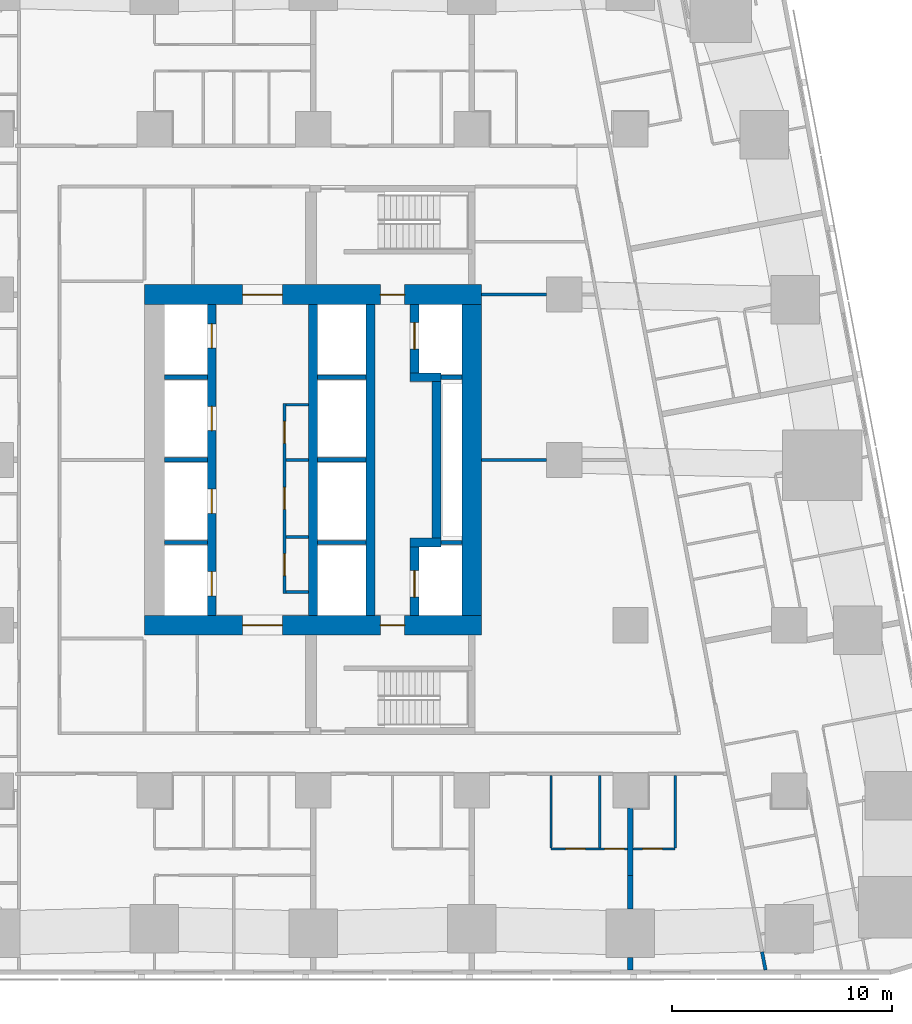
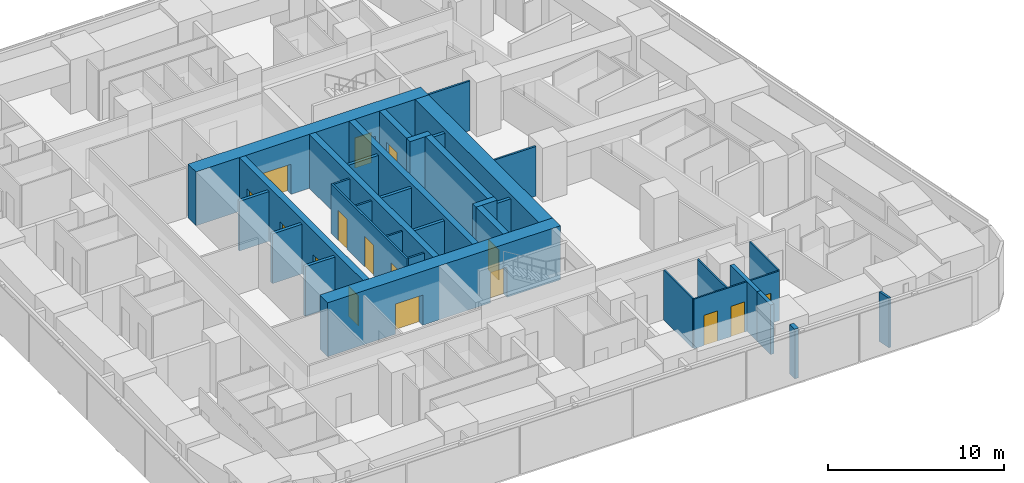
# One storey, part 5 of 14: 35 walls, 16 doors, 16 openings.
"""IFC4 building model written with IfcOpenShell, lengths in metres."""

from ifc_helpers import new_model, si_unit, direction, frame, frame_2d, origin, place, context, subcontext, project, spatial, rectangle, extrude, material, layer, layer_set, type_object, element, fill, save


model = new_model("IFC4")

# Units and contexts
model_context = context("Model", 3, precision=1e-05, world=origin(), true_north=direction((0.0, 1.0)))
body_context = subcontext(model_context, "Body", "Model", "MODEL_VIEW")
ifc_project = project(units=[si_unit("LENGTHUNIT", "METRE"), si_unit("AREAUNIT", "SQUARE_METRE"), si_unit("VOLUMEUNIT", "CUBIC_METRE"), si_unit("PLANEANGLEUNIT", "RADIAN"), si_unit("MASSUNIT", "GRAM", prefix="KILO")], contexts=[model_context])

# Site, building, storey
site_placement = place(None, origin())
site = spatial("IfcSite", under=ifc_project, at=site_placement, CompositionType="ELEMENT")
building_placement = place(site_placement, origin())
building = spatial("IfcBuilding", under=site, at=building_placement, Name="Sheger Commons Tower", CompositionType="ELEMENT")
storey_placement = place(building_placement, frame((0.0, 0.0, 126.64990234375)))
storey = spatial("IfcBuildingStorey", under=building, at=storey_placement, Name="L32", CompositionType="ELEMENT", Elevation=126.64990234375)

# Wall, openings, doors
ifc_material_1 = material(Name="Concrete C50/60", Category="concrete")
ifc_layer_1 = layer(ifc_material_1, 0.39990234375)
ifc_layer_set_1 = layer_set([ifc_layer_1], Name="CORE INNER WALL 400")
wall_type_1 = type_object("IfcWallType", Name="CORE INNER WALL 400", PredefinedType="SHEAR", material=ifc_layer_set_1)
wall_1_placement = place(storey_placement, frame((17.0, 15.449951171875, 0.0), z_axis=(0.0, 0.0, 1.0), x_axis=(0.0, 1.0, 0.0)))
wall_1 = element("IfcWall", 1, at=wall_1_placement, inside=storey, type_object=wall_type_1, Name="Core inner wall A L32", PredefinedType="SHEAR", context=body_context, shape_type="SweptSolid", body=[
    extrude(rectangle(XDim=14.10009765625, YDim=0.39990234375, at=frame_2d((7.050048828125, 0.0))), origin(), (0.0, 0.0, 1.0), 3.75),
])
opening_1_placement = place(wall_1_placement, frame((0.875, 0.0, 0.0)))
opening_1 = element("IfcOpeningElement", 2, at=opening_1_placement, cuts=wall_1, Name="Opening LD", PredefinedType="OPENING", context=body_context, shape_type="SweptSolid", body=[
    extrude(rectangle(XDim=1.10009765625, YDim=2.10009765625, at=frame_2d((0.550048828125, 1.050048828125))), frame((0.0, 0.2099609375, 0.0), z_axis=(0.0, -1.0, 0.0), x_axis=(1.0, 0.0, 0.0)), (0.0, 0.0, 1.0), 0.419921875),
])
opening_2_placement = place(wall_1_placement, frame((4.625, 0.0, 0.0)))
opening_2 = element("IfcOpeningElement", 3, at=opening_2_placement, cuts=wall_1, Name="Opening LD", PredefinedType="OPENING", context=body_context, shape_type="SweptSolid", body=[
    extrude(rectangle(XDim=1.10009765625, YDim=2.10009765625, at=frame_2d((0.550048828125, 1.050048828125))), frame((0.0, 0.2099609375, 0.0), z_axis=(0.0, -1.0, 0.0), x_axis=(1.0, 0.0, 0.0)), (0.0, 0.0, 1.0), 0.419921875),
])
opening_3_placement = place(wall_1_placement, frame((8.375, 0.0, 0.0)))
opening_3 = element("IfcOpeningElement", 4, at=opening_3_placement, cuts=wall_1, Name="Opening LD", PredefinedType="OPENING", context=body_context, shape_type="SweptSolid", body=[
    extrude(rectangle(XDim=1.10009765625, YDim=2.10009765625, at=frame_2d((0.550048828125, 1.050048828125))), frame((0.0, 0.2099609375, 0.0), z_axis=(0.0, -1.0, 0.0), x_axis=(1.0, 0.0, 0.0)), (0.0, 0.0, 1.0), 0.419921875),
])
opening_4_placement = place(wall_1_placement, frame((12.125, 0.0, 0.0)))
opening_4 = element("IfcOpeningElement", 5, at=opening_4_placement, cuts=wall_1, Name="Opening LD", PredefinedType="OPENING", context=body_context, shape_type="SweptSolid", body=[
    extrude(rectangle(XDim=1.10009765625, YDim=2.10009765625, at=frame_2d((0.550048828125, 1.050048828125))), frame((0.0, 0.2099609375, 0.0), z_axis=(0.0, -1.0, 0.0), x_axis=(1.0, 0.0, 0.0)), (0.0, 0.0, 1.0), 0.419921875),
])
ifc_material_2 = material(Name="Steel door set, fire rated", Category="steel")
door_type_1 = type_object("IfcDoorType", Name="LIFT LANDING DOOR 1100x2100", OperationType="DOUBLE_DOOR_SLIDING", PredefinedType="DOOR", material=ifc_material_2)
door_1_placement = place(opening_1_placement, origin())
door_1 = element("IfcDoor", 6, at=door_1_placement, inside=storey, type_object=door_type_1, Name="Lift LA1 landing door", OperationType="DOUBLE_DOOR_SLIDING", OverallHeight=2.10009765625, OverallWidth=1.10009765625, PredefinedType="DOOR", context=body_context, shape_type="SweptSolid", body=[
    extrude(rectangle(XDim=1.10009765625, YDim=2.10009765625, at=frame_2d((0.550048828125, 1.050048828125))), frame((0.0, 0.02490234375, 0.0), z_axis=(0.0, -1.0, 0.0), x_axis=(1.0, 0.0, 0.0)), (0.0, 0.0, 1.0), 0.050048828125),
])
fill(opening_1, door_1)
door_2_placement = place(opening_2_placement, origin())
door_2 = element("IfcDoor", 7, at=door_2_placement, inside=storey, type_object=door_type_1, Name="Lift LA2 landing door", OperationType="DOUBLE_DOOR_SLIDING", OverallHeight=2.10009765625, OverallWidth=1.10009765625, PredefinedType="DOOR", context=body_context, shape_type="SweptSolid", body=[
    extrude(rectangle(XDim=1.10009765625, YDim=2.10009765625, at=frame_2d((0.550048828125, 1.050048828125))), frame((0.0, 0.02490234375, 0.0), z_axis=(0.0, -1.0, 0.0), x_axis=(1.0, 0.0, 0.0)), (0.0, 0.0, 1.0), 0.050048828125),
])
fill(opening_2, door_2)
door_3_placement = place(opening_3_placement, origin())
door_3 = element("IfcDoor", 8, at=door_3_placement, inside=storey, type_object=door_type_1, Name="Lift LA3 landing door", OperationType="DOUBLE_DOOR_SLIDING", OverallHeight=2.10009765625, OverallWidth=1.10009765625, PredefinedType="DOOR", context=body_context, shape_type="SweptSolid", body=[
    extrude(rectangle(XDim=1.10009765625, YDim=2.10009765625, at=frame_2d((0.550048828125, 1.050048828125))), frame((0.0, 0.02490234375, 0.0), z_axis=(0.0, -1.0, 0.0), x_axis=(1.0, 0.0, 0.0)), (0.0, 0.0, 1.0), 0.050048828125),
])
fill(opening_3, door_3)
door_4_placement = place(opening_4_placement, origin())
door_4 = element("IfcDoor", 9, at=door_4_placement, inside=storey, type_object=door_type_1, Name="Lift LA4 landing door", OperationType="DOUBLE_DOOR_SLIDING", OverallHeight=2.10009765625, OverallWidth=1.10009765625, PredefinedType="DOOR", context=body_context, shape_type="SweptSolid", body=[
    extrude(rectangle(XDim=1.10009765625, YDim=2.10009765625, at=frame_2d((0.550048828125, 1.050048828125))), frame((0.0, 0.02490234375, 0.0), z_axis=(0.0, -1.0, 0.0), x_axis=(1.0, 0.0, 0.0)), (0.0, 0.0, 1.0), 0.050048828125),
])
fill(opening_4, door_4)

# Walls
for number, where, z_axis, x_axis, name in (
    (10, (21.60009765625, 15.449951171875, 0.0), (0.0, 0.0, 1.0), (0.0, 1.0, 0.0), "Core inner wall L L32"),
    (11, (24.199951171875, 15.449951171875, 0.0), (0.0, 0.0, 1.0), (0.0, 1.0, 0.0), "Core inner wall B L32"),
):
    element("IfcWall", number, at=place(storey_placement, frame(where, z_axis=z_axis, x_axis=x_axis)), inside=storey, type_object=wall_type_1, Name=name, PredefinedType="SHEAR", context=body_context, shape_type="SweptSolid", body=[
        extrude(rectangle(XDim=14.10009765625, YDim=0.39990234375, at=frame_2d((7.050048828125, 0.0))), origin(), (0.0, 0.0, 1.0), 3.75),
    ])

# Wall, opening, door
wall_2_placement = place(storey_placement, frame((26.199951171875, 15.449951171875, 0.0), z_axis=(0.0, 0.0, 1.0), x_axis=(0.0, 1.0, 0.0)))
wall_2 = element("IfcWall", 12, at=wall_2_placement, inside=storey, type_object=wall_type_1, Name="Core inner wall F L32", PredefinedType="SHEAR", context=body_context, shape_type="SweptSolid", body=[
    extrude(rectangle(XDim=3.10009765625, YDim=0.39990234375, at=frame_2d((1.550048828125, 0.0))), origin(), (0.0, 0.0, 1.0), 3.75),
])
opening_5_placement = place(wall_2_placement, frame((0.824951171875, 0.0, 0.0)))
opening_5 = element("IfcOpeningElement", 13, at=opening_5_placement, cuts=wall_2, Name="Opening LD2", PredefinedType="OPENING", context=body_context, shape_type="SweptSolid", body=[
    extrude(rectangle(XDim=1.199951171875, YDim=2.10009765625, at=frame_2d((0.60009765625, 1.050048828125))), frame((0.0, 0.2099609375, 0.0), z_axis=(0.0, -1.0, 0.0), x_axis=(1.0, 0.0, 0.0)), (0.0, 0.0, 1.0), 0.419921875),
])
ifc_material_3 = material(Name="Steel door set, fire rated", Category="steel")
door_type_2 = type_object("IfcDoorType", Name="FIREFIGHTING LIFT LANDING DOOR 1200x2100", OperationType="DOUBLE_DOOR_SLIDING", PredefinedType="DOOR", material=ifc_material_3)
door_5_placement = place(opening_5_placement, origin())
door_5 = element("IfcDoor", 14, at=door_5_placement, inside=storey, type_object=door_type_2, Name="Lift FL1 landing door", OperationType="DOUBLE_DOOR_SLIDING", OverallHeight=2.10009765625, OverallWidth=1.199951171875, PredefinedType="DOOR", context=body_context, shape_type="SweptSolid", body=[
    extrude(rectangle(XDim=1.199951171875, YDim=2.10009765625, at=frame_2d((0.60009765625, 1.050048828125))), frame((0.0, 0.02490234375, 0.0), z_axis=(0.0, -1.0, 0.0), x_axis=(1.0, 0.0, 0.0)), (0.0, 0.0, 1.0), 0.050048828125),
])
fill(opening_5, door_5)

# Walls
wall_3_placement = place(storey_placement, frame((26.0, 18.75, 0.0), z_axis=(0.0, 0.0, 1.0), x_axis=(1.0, 0.0, 0.0)))
element("IfcWall", 15, at=wall_3_placement, inside=storey, type_object=wall_type_1, Name="Core inner wall F south return L32", PredefinedType="SHEAR", context=body_context, shape_type="SweptSolid", body=[
    extrude(rectangle(XDim=1.39990234375, YDim=0.39990234375, at=frame_2d((0.699951171875, 0.0))), origin(), (0.0, 0.0, 1.0), 3.75),
])
wall_4_placement = place(storey_placement, frame((27.199951171875, 18.949951171875, 0.0), z_axis=(0.0, 0.0, 1.0), x_axis=(0.0, 1.0, 0.0)))
element("IfcWall", 16, at=wall_4_placement, inside=storey, type_object=wall_type_1, Name="Core inner wall F middle L32", PredefinedType="SHEAR", context=body_context, shape_type="SweptSolid", body=[
    extrude(rectangle(XDim=7.10009765625, YDim=0.39990234375, at=frame_2d((3.550048828125, 0.0))), origin(), (0.0, 0.0, 1.0), 3.75),
])
wall_5_placement = place(storey_placement, frame((26.0, 26.25, 0.0), z_axis=(0.0, 0.0, 1.0), x_axis=(1.0, 0.0, 0.0)))
element("IfcWall", 17, at=wall_5_placement, inside=storey, type_object=wall_type_1, Name="Core inner wall F north return L32", PredefinedType="SHEAR", context=body_context, shape_type="SweptSolid", body=[
    extrude(rectangle(XDim=1.39990234375, YDim=0.39990234375, at=frame_2d((0.699951171875, 0.0))), origin(), (0.0, 0.0, 1.0), 3.75),
])

# Wall, opening, door
wall_6_placement = place(storey_placement, frame((26.199951171875, 26.449951171875, 0.0), z_axis=(0.0, 0.0, 1.0), x_axis=(0.0, 1.0, 0.0)))
wall_6 = element("IfcWall", 18, at=wall_6_placement, inside=storey, type_object=wall_type_1, Name="Core inner wall F north L32", PredefinedType="SHEAR", context=body_context, shape_type="SweptSolid", body=[
    extrude(rectangle(XDim=3.10009765625, YDim=0.39990234375, at=frame_2d((1.550048828125, 0.0))), origin(), (0.0, 0.0, 1.0), 3.75),
])
opening_6_placement = place(wall_6_placement, frame((1.074951171875, 0.0, 0.0)))
opening_6 = element("IfcOpeningElement", 19, at=opening_6_placement, cuts=wall_6, Name="Opening LD2", PredefinedType="OPENING", context=body_context, shape_type="SweptSolid", body=[
    extrude(rectangle(XDim=1.199951171875, YDim=2.10009765625, at=frame_2d((0.60009765625, 1.050048828125))), frame((0.0, 0.2099609375, 0.0), z_axis=(0.0, -1.0, 0.0), x_axis=(1.0, 0.0, 0.0)), (0.0, 0.0, 1.0), 0.419921875),
])
door_6_placement = place(opening_6_placement, origin())
door_6 = element("IfcDoor", 20, at=door_6_placement, inside=storey, type_object=door_type_2, Name="Lift FL2 landing door", OperationType="DOUBLE_DOOR_SLIDING", OverallHeight=2.10009765625, OverallWidth=1.199951171875, PredefinedType="DOOR", context=body_context, shape_type="SweptSolid", body=[
    extrude(rectangle(XDim=1.199951171875, YDim=2.10009765625, at=frame_2d((0.60009765625, 1.050048828125))), frame((0.0, 0.02490234375, 0.0), z_axis=(0.0, -1.0, 0.0), x_axis=(1.0, 0.0, 0.0)), (0.0, 0.0, 1.0), 0.050048828125),
])
fill(opening_6, door_6)

# Wall, openings, doors
ifc_material_4 = material(Name="Concrete C50/60", Category="concrete")
ifc_layer_2 = layer(ifc_material_4, 0.89990234375)
ifc_layer_set_2 = layer_set([ifc_layer_2], Name="CORE WALL 900")
wall_type_2 = type_object("IfcWallType", Name="CORE WALL 900", PredefinedType="SHEAR", material=ifc_layer_set_2)
wall_7_placement = place(storey_placement, frame((13.949951171875, 15.0, 0.0), z_axis=(0.0, 0.0, 1.0), x_axis=(1.0, 0.0, 0.0)))
wall_7 = element("IfcWall", 21, at=wall_7_placement, inside=storey, type_object=wall_type_2, Name="Core wall south L32", PredefinedType="SHEAR", context=body_context, shape_type="SweptSolid", body=[
    extrude(rectangle(XDim=15.300048828125, YDim=0.89990234375, at=frame_2d((7.64990234375, 0.0))), origin(), (0.0, 0.0, 1.0), 3.75),
])
opening_7_placement = place(wall_7_placement, frame((4.449951171875, 0.0, 0.0)))
opening_7 = element("IfcOpeningElement", 22, at=opening_7_placement, cuts=wall_7, Name="Opening D6", PredefinedType="OPENING", context=body_context, shape_type="SweptSolid", body=[
    extrude(rectangle(XDim=1.800048828125, YDim=2.10009765625, at=frame_2d((0.89990234375, 1.050048828125))), frame((0.0, 0.4599609375, 0.0), z_axis=(0.0, -1.0, 0.0), x_axis=(1.0, 0.0, 0.0)), (0.0, 0.0, 1.0), 0.919921875),
])
opening_8_placement = place(wall_7_placement, frame((10.699951171875, 0.0, 0.0)))
opening_8 = element("IfcOpeningElement", 23, at=opening_8_placement, cuts=wall_7, Name="Opening D5", PredefinedType="OPENING", context=body_context, shape_type="SweptSolid", body=[
    extrude(rectangle(XDim=1.10009765625, YDim=2.10009765625, at=frame_2d((0.550048828125, 1.050048828125))), frame((0.0, 0.4599609375, 0.0), z_axis=(0.0, -1.0, 0.0), x_axis=(1.0, 0.0, 0.0)), (0.0, 0.0, 1.0), 0.919921875),
])
ifc_material_5 = material(Name="Steel door set, fire rated", Category="steel")
door_type_3 = type_object("IfcDoorType", Name="LOBBY DOUBLE DOOR 1800x2100", OperationType="DOUBLE_DOOR_SINGLE_SWING", PredefinedType="DOOR", material=ifc_material_5)
door_7_placement = place(opening_7_placement, origin())
door_7 = element("IfcDoor", 24, at=door_7_placement, inside=storey, type_object=door_type_3, Name="Lift lobby door", OperationType="DOUBLE_DOOR_SINGLE_SWING", OverallHeight=2.10009765625, OverallWidth=1.800048828125, PredefinedType="DOOR", context=body_context, shape_type="SweptSolid", body=[
    extrude(rectangle(XDim=1.800048828125, YDim=2.10009765625, at=frame_2d((0.89990234375, 1.050048828125))), frame((0.0, 0.02490234375, 0.0), z_axis=(0.0, -1.0, 0.0), x_axis=(1.0, 0.0, 0.0)), (0.0, 0.0, 1.0), 0.050048828125),
])
fill(opening_7, door_7)
ifc_material_6 = material(Name="Steel door set, fire rated", Category="steel")
door_type_4 = type_object("IfcDoorType", Name="STAIR DOOR 1100x2100", OperationType="NOTDEFINED", PredefinedType="DOOR", material=ifc_material_6)
door_8_placement = place(opening_8_placement, origin())
door_8 = element("IfcDoor", 25, at=door_8_placement, inside=storey, type_object=door_type_4, Name="Fire-fighting lobby door", OperationType="SINGLE_SWING_RIGHT", OverallHeight=2.10009765625, OverallWidth=1.10009765625, PredefinedType="DOOR", context=body_context, shape_type="SweptSolid", body=[
    extrude(rectangle(XDim=1.10009765625, YDim=2.10009765625, at=frame_2d((0.550048828125, 1.050048828125))), frame((0.0, 0.02490234375, 0.0), z_axis=(0.0, -1.0, 0.0), x_axis=(1.0, 0.0, 0.0)), (0.0, 0.0, 1.0), 0.050048828125),
])
fill(opening_8, door_8)

wall_8_placement = place(storey_placement, frame((13.949951171875, 30.0, 0.0), z_axis=(0.0, 0.0, 1.0), x_axis=(1.0, 0.0, 0.0)))
wall_8 = element("IfcWall", 26, at=wall_8_placement, inside=storey, type_object=wall_type_2, Name="Core wall north L32", PredefinedType="SHEAR", context=body_context, shape_type="SweptSolid", body=[
    extrude(rectangle(XDim=15.300048828125, YDim=0.89990234375, at=frame_2d((7.64990234375, 0.0))), origin(), (0.0, 0.0, 1.0), 3.75),
])
opening_9_placement = place(wall_8_placement, frame((4.449951171875, 0.0, 0.0)))
opening_9 = element("IfcOpeningElement", 27, at=opening_9_placement, cuts=wall_8, Name="Opening D6", PredefinedType="OPENING", context=body_context, shape_type="SweptSolid", body=[
    extrude(rectangle(XDim=1.800048828125, YDim=2.10009765625, at=frame_2d((0.89990234375, 1.050048828125))), frame((0.0, 0.4599609375, 0.0), z_axis=(0.0, -1.0, 0.0), x_axis=(1.0, 0.0, 0.0)), (0.0, 0.0, 1.0), 0.919921875),
])
opening_10_placement = place(wall_8_placement, frame((10.699951171875, 0.0, 0.0)))
opening_10 = element("IfcOpeningElement", 28, at=opening_10_placement, cuts=wall_8, Name="Opening D5", PredefinedType="OPENING", context=body_context, shape_type="SweptSolid", body=[
    extrude(rectangle(XDim=1.10009765625, YDim=2.10009765625, at=frame_2d((0.550048828125, 1.050048828125))), frame((0.0, 0.4599609375, 0.0), z_axis=(0.0, -1.0, 0.0), x_axis=(1.0, 0.0, 0.0)), (0.0, 0.0, 1.0), 0.919921875),
])
door_9_placement = place(opening_9_placement, origin())
door_9 = element("IfcDoor", 29, at=door_9_placement, inside=storey, type_object=door_type_3, Name="Lift lobby door", OperationType="DOUBLE_DOOR_SINGLE_SWING", OverallHeight=2.10009765625, OverallWidth=1.800048828125, PredefinedType="DOOR", context=body_context, shape_type="SweptSolid", body=[
    extrude(rectangle(XDim=1.800048828125, YDim=2.10009765625, at=frame_2d((0.89990234375, 1.050048828125))), frame((0.0, 0.02490234375, 0.0), z_axis=(0.0, -1.0, 0.0), x_axis=(1.0, 0.0, 0.0)), (0.0, 0.0, 1.0), 0.050048828125),
])
fill(opening_9, door_9)
door_10_placement = place(opening_10_placement, origin())
door_10 = element("IfcDoor", 30, at=door_10_placement, inside=storey, type_object=door_type_4, Name="Fire-fighting lobby door", OperationType="SINGLE_SWING_RIGHT", OverallHeight=2.10009765625, OverallWidth=1.10009765625, PredefinedType="DOOR", context=body_context, shape_type="SweptSolid", body=[
    extrude(rectangle(XDim=1.10009765625, YDim=2.10009765625, at=frame_2d((0.550048828125, 1.050048828125))), frame((0.0, 0.02490234375, 0.0), z_axis=(0.0, -1.0, 0.0), x_axis=(1.0, 0.0, 0.0)), (0.0, 0.0, 1.0), 0.050048828125),
])
fill(opening_10, door_10)

# Walls
wall_9_placement = place(storey_placement, frame((28.800048828125, 15.449951171875, 0.0), z_axis=(0.0, 0.0, 1.0), x_axis=(0.0, 1.0, 0.0)))
element("IfcWall", 31, at=wall_9_placement, inside=storey, type_object=wall_type_2, Name="Core wall east L32", PredefinedType="SHEAR", context=body_context, shape_type="SweptSolid", body=[
    extrude(rectangle(XDim=14.10009765625, YDim=0.89990234375, at=frame_2d((7.050048828125, 0.0))), origin(), (0.0, 0.0, 1.0), 3.75),
])
ifc_material_7 = material(Name="Hollow concrete block masonry, skimmed both sides", Category="masonry")
ifc_layer_3 = layer(ifc_material_7, 0.14990234375)
ifc_layer_set_3 = layer_set([ifc_layer_3], Name="CORRIDOR WALL 150")
wall_type_3 = type_object("IfcWallType", Name="CORRIDOR WALL 150", PredefinedType="SOLIDWALL", material=ifc_layer_set_3)
wall_10_placement = place(storey_placement, frame((41.969970703125, 0.178955078125, 0.0), z_axis=(0.0, 0.0, 1.0), x_axis=(0.186088003244, -0.982533080893, 0.0)))
element("IfcWall", 32, at=wall_10_placement, inside=storey, type_object=wall_type_3, Name="Corridor wall L32", PredefinedType="SOLIDWALL", context=body_context, shape_type="SweptSolid", body=[
    extrude(rectangle(XDim=0.843505859375, YDim=0.14990234375, at=frame_2d((0.421875, 0.0))), origin(), (0.0, 0.0, 1.0), 3.4501953125),
])
ifc_material_8 = material(Name="Dense concrete block masonry, plastered both sides (separating wall between flats)", Category="masonry")
ifc_layer_4 = layer(ifc_material_8, 0.25)
ifc_layer_set_4 = layer_set([ifc_layer_4], Name="DEMISING WALL 250")
wall_type_4 = type_object("IfcWallType", Name="DEMISING WALL 250", PredefinedType="SOLIDWALL", material=ifc_layer_set_4)
wall_11_placement = place(storey_placement, frame((36.0, -0.64990234375, 0.0), z_axis=(0.0, 0.0, 1.0), x_axis=(0.0, 1.0, 0.0)))
element("IfcWall", 33, at=wall_11_placement, inside=storey, type_object=wall_type_4, Name="Demising wall L32", PredefinedType="SOLIDWALL", context=body_context, shape_type="SweptSolid", body=[
    extrude(rectangle(XDim=0.573974609375, YDim=0.25, at=frame_2d((0.287109375, 0.0))), origin(), (0.0, 0.0, 1.0), 3.4501953125),
])
wall_12_placement = place(storey_placement, frame((36.0, 2.1259765625, 0.0), z_axis=(0.0, 0.0, 1.0), x_axis=(0.0, 1.0, 0.0)))
element("IfcWall", 34, at=wall_12_placement, inside=storey, type_object=wall_type_4, Name="Demising wall L32", PredefinedType="SOLIDWALL", context=body_context, shape_type="SweptSolid", body=[
    extrude(rectangle(XDim=1.52392578125, YDim=0.25, at=frame_2d((0.761962890625, 0.0))), origin(), (0.0, 0.0, 1.0), 3.4501953125),
])
wall_13_placement = place(storey_placement, frame((36.0, 3.64990234375, 0.0), z_axis=(0.0, 0.0, 1.0), x_axis=(0.0, 1.0, 0.0)))
element("IfcWall", 35, at=wall_13_placement, inside=storey, type_object=wall_type_4, Name="Demising wall L32", PredefinedType="SOLIDWALL", context=body_context, shape_type="SweptSolid", body=[
    extrude(rectangle(XDim=3.049072265625, YDim=0.25, at=frame_2d((1.5244140625, 0.0))), origin(), (0.0, 0.0, 1.0), 3.4501953125),
])

# Wall, openings, doors
ifc_material_9 = material(Name="Gypsum board on steel studs", Category="steel")
ifc_layer_5 = layer(ifc_material_9, 0.10009765625)
ifc_layer_set_5 = layer_set([ifc_layer_5], Name="PARTITION 100")
wall_type_5 = type_object("IfcWallType", Name="PARTITION 100", PredefinedType="PARTITIONING", material=ifc_layer_set_5)
wall_14_placement = place(storey_placement, frame((35.875, 4.85009765625, 0.0), z_axis=(0.0, 0.0, 1.0), x_axis=(-1.0, 0.0, 0.0)))
wall_14 = element("IfcWall", 36, at=wall_14_placement, inside=storey, type_object=wall_type_5, Name="Partition L32", PredefinedType="PARTITIONING", context=body_context, shape_type="SweptSolid", body=[
    extrude(rectangle(XDim=3.47509765625, YDim=0.10009765625, at=frame_2d((1.737548828125, 0.0))), origin(), (0.0, 0.0, 1.0), 3.4501953125),
])
opening_11_placement = place(wall_14_placement, frame((1.919921875, 0.0, 0.0)))
opening_11 = element("IfcOpeningElement", 37, at=opening_11_placement, cuts=wall_14, Name="Opening D2", PredefinedType="OPENING", context=body_context, shape_type="SweptSolid", body=[
    extrude(rectangle(XDim=0.89990234375, YDim=2.10009765625, at=frame_2d((0.449951171875, 1.050048828125))), frame((0.0, 0.06005859375, 0.0), z_axis=(0.0, -1.0, 0.0), x_axis=(1.0, 0.0, 0.0)), (0.0, 0.0, 1.0), 0.1201171875),
])
opening_12_placement = place(wall_14_placement, frame((0.14990234375, 0.0, 0.0)))
opening_12 = element("IfcOpeningElement", 38, at=opening_12_placement, cuts=wall_14, Name="Opening D2", PredefinedType="OPENING", context=body_context, shape_type="SweptSolid", body=[
    extrude(rectangle(XDim=0.89990234375, YDim=2.10009765625, at=frame_2d((0.449951171875, 1.050048828125))), frame((0.0, 0.06005859375, 0.0), z_axis=(0.0, -1.0, 0.0), x_axis=(1.0, 0.0, 0.0)), (0.0, 0.0, 1.0), 0.1201171875),
])
ifc_material_10 = material(Name="Timber door set", Category="wood")
door_type_5 = type_object("IfcDoorType", Name="INTERNAL DOOR 900x2100", OperationType="NOTDEFINED", PredefinedType="DOOR", material=ifc_material_10)
door_11_placement = place(opening_11_placement, origin())
door_11 = element("IfcDoor", 39, at=door_11_placement, inside=storey, type_object=door_type_5, Name="Bathroom door", OperationType="SINGLE_SWING_LEFT", OverallHeight=2.10009765625, OverallWidth=0.89990234375, PredefinedType="DOOR", context=body_context, shape_type="SweptSolid", body=[
    extrude(rectangle(XDim=0.89990234375, YDim=2.10009765625, at=frame_2d((0.449951171875, 1.050048828125))), frame((0.0, 0.02490234375, 0.0), z_axis=(0.0, -1.0, 0.0), x_axis=(1.0, 0.0, 0.0)), (0.0, 0.0, 1.0), 0.050048828125),
])
fill(opening_11, door_11)
door_12_placement = place(opening_12_placement, origin())
door_12 = element("IfcDoor", 40, at=door_12_placement, inside=storey, type_object=door_type_5, Name="Store door", OperationType="SINGLE_SWING_RIGHT", OverallHeight=2.10009765625, OverallWidth=0.89990234375, PredefinedType="DOOR", context=body_context, shape_type="SweptSolid", body=[
    extrude(rectangle(XDim=0.89990234375, YDim=2.10009765625, at=frame_2d((0.449951171875, 1.050048828125))), frame((0.0, 0.02490234375, 0.0), z_axis=(0.0, -1.0, 0.0), x_axis=(1.0, 0.0, 0.0)), (0.0, 0.0, 1.0), 0.050048828125),
])
fill(opening_12, door_12)

# Walls
for number, where, z_axis, x_axis, name in (
    (41, (32.39990234375, 4.89990234375, 0.0), (0.0, 0.0, 1.0), (0.0, 1.0, 0.0), "Partition L32"),
    (42, (34.610107421875, 4.89990234375, 0.0), (0.0, 0.0, 1.0), (0.0, 1.0, 0.0), "Partition L32"),
):
    element("IfcWall", number, at=place(storey_placement, frame(where, z_axis=z_axis, x_axis=x_axis)), inside=storey, type_object=wall_type_5, Name=name, PredefinedType="PARTITIONING", context=body_context, shape_type="SweptSolid", body=[
        extrude(rectangle(XDim=3.275146484375, YDim=0.10009765625, at=frame_2d((1.6376953125, 0.0))), origin(), (0.0, 0.0, 1.0), 3.4501953125),
    ])

# Wall, opening, door
wall_15_placement = place(storey_placement, frame((38.029052734375, 4.85009765625, 0.0), z_axis=(0.0, 0.0, 1.0), x_axis=(-1.0, 0.0, 0.0)))
wall_15 = element("IfcWall", 43, at=wall_15_placement, inside=storey, type_object=wall_type_5, Name="Partition L32", PredefinedType="PARTITIONING", context=body_context, shape_type="SweptSolid", body=[
    extrude(rectangle(XDim=1.904052734375, YDim=0.10009765625, at=frame_2d((0.9521484375, 0.0))), origin(), (0.0, 0.0, 1.0), 3.4501953125),
])
opening_13_placement = place(wall_15_placement, frame((0.5791015625, 0.0, 0.0)))
opening_13 = element("IfcOpeningElement", 44, at=opening_13_placement, cuts=wall_15, Name="Opening D2", PredefinedType="OPENING", context=body_context, shape_type="SweptSolid", body=[
    extrude(rectangle(XDim=0.89990234375, YDim=2.10009765625, at=frame_2d((0.449951171875, 1.050048828125))), frame((0.0, 0.06005859375, 0.0), z_axis=(0.0, -1.0, 0.0), x_axis=(1.0, 0.0, 0.0)), (0.0, 0.0, 1.0), 0.1201171875),
])
door_13_placement = place(opening_13_placement, origin())
door_13 = element("IfcDoor", 45, at=door_13_placement, inside=storey, type_object=door_type_5, Name="Shower room door", OperationType="SINGLE_SWING_LEFT", OverallHeight=2.10009765625, OverallWidth=0.89990234375, PredefinedType="DOOR", context=body_context, shape_type="SweptSolid", body=[
    extrude(rectangle(XDim=0.89990234375, YDim=2.10009765625, at=frame_2d((0.449951171875, 1.050048828125))), frame((0.0, 0.02490234375, 0.0), z_axis=(0.0, -1.0, 0.0), x_axis=(1.0, 0.0, 0.0)), (0.0, 0.0, 1.0), 0.050048828125),
])
fill(opening_13, door_13)

# Walls
wall_16_placement = place(storey_placement, frame((38.029052734375, 4.89990234375, 0.0), z_axis=(0.0, 0.0, 1.0), x_axis=(0.0, 1.0, 0.0)))
element("IfcWall", 46, at=wall_16_placement, inside=storey, type_object=wall_type_5, Name="Partition L32", PredefinedType="PARTITIONING", context=body_context, shape_type="SweptSolid", body=[
    extrude(rectangle(XDim=3.275146484375, YDim=0.10009765625, at=frame_2d((1.6376953125, 0.0))), origin(), (0.0, 0.0, 1.0), 3.4501953125),
])
ifc_material_11 = material(Name="Gypsum board on steel studs, two layers each side, fire rated", Category="steel")
ifc_layer_6 = layer(ifc_material_11, 0.125)
ifc_layer_set_6 = layer_set([ifc_layer_6], Name="SERVICE WALL 125")
wall_type_6 = type_object("IfcWallType", Name="SERVICE WALL 125", PredefinedType="PARTITIONING", material=ifc_layer_set_6)
for number, where, z_axis, x_axis, name in (
    (47, (29.25, 22.5, 0.0), (0.0, 0.0, 1.0), (1.0, 0.0, 0.0), "Service room wall L32"),
    (48, (29.25, 30.0, 0.0), (0.0, 0.0, 1.0), (1.0, 0.0, 0.0), "Service room wall L32"),
):
    element("IfcWall", number, at=place(storey_placement, frame(where, z_axis=z_axis, x_axis=x_axis)), inside=storey, type_object=wall_type_6, Name=name, PredefinedType="PARTITIONING", context=body_context, shape_type="SweptSolid", body=[
        extrude(rectangle(XDim=2.948974609375, YDim=0.125, at=frame_2d((1.474609375, 0.0))), origin(), (0.0, 0.0, 1.0), 3.4501953125),
    ])

# Wall, openings, doors
wall_17_placement = place(storey_placement, frame((20.300048828125, 16.43798828125, 0.0), z_axis=(0.0, 0.0, 1.0), x_axis=(0.0, 1.0, 0.0)))
wall_17 = element("IfcWall", 49, at=wall_17_placement, inside=storey, type_object=wall_type_6, Name="Service room wall L32", PredefinedType="PARTITIONING", context=body_context, shape_type="SweptSolid", body=[
    extrude(rectangle(XDim=8.6240234375, YDim=0.125, at=frame_2d((4.31201171875, 0.0))), origin(), (0.0, 0.0, 1.0), 3.4501953125),
])
opening_14_placement = place(wall_17_placement, frame((0.81201171875, 0.0, 0.0)))
opening_14 = element("IfcOpeningElement", 50, at=opening_14_placement, cuts=wall_17, Name="Opening D4", PredefinedType="OPENING", context=body_context, shape_type="SweptSolid", body=[
    extrude(rectangle(XDim=1.0, YDim=2.10009765625, at=frame_2d((0.5, 1.050048828125))), frame((0.0, 0.072509765625, 0.0), z_axis=(0.0, -1.0, 0.0), x_axis=(1.0, 0.0, 0.0)), (0.0, 0.0, 1.0), 0.14501953125),
])
opening_15_placement = place(wall_17_placement, frame((3.81201171875, 0.0, 0.0)))
opening_15 = element("IfcOpeningElement", 51, at=opening_15_placement, cuts=wall_17, Name="Opening D4", PredefinedType="OPENING", context=body_context, shape_type="SweptSolid", body=[
    extrude(rectangle(XDim=1.0, YDim=2.10009765625, at=frame_2d((0.5, 1.050048828125))), frame((0.0, 0.072509765625, 0.0), z_axis=(0.0, -1.0, 0.0), x_axis=(1.0, 0.0, 0.0)), (0.0, 0.0, 1.0), 0.14501953125),
])
opening_16_placement = place(wall_17_placement, frame((6.81201171875, 0.0, 0.0)))
opening_16 = element("IfcOpeningElement", 52, at=opening_16_placement, cuts=wall_17, Name="Opening D4", PredefinedType="OPENING", context=body_context, shape_type="SweptSolid", body=[
    extrude(rectangle(XDim=1.0, YDim=2.10009765625, at=frame_2d((0.5, 1.050048828125))), frame((0.0, 0.072509765625, 0.0), z_axis=(0.0, -1.0, 0.0), x_axis=(1.0, 0.0, 0.0)), (0.0, 0.0, 1.0), 0.14501953125),
])
ifc_material_12 = material(Name="Steel door set, fire rated", Category="steel")
door_type_6 = type_object("IfcDoorType", Name="SERVICE DOOR 1000x2100", OperationType="NOTDEFINED", PredefinedType="DOOR", material=ifc_material_12)
door_14_placement = place(opening_14_placement, origin())
door_14 = element("IfcDoor", 53, at=door_14_placement, inside=storey, type_object=door_type_6, Name="Cleaner's cupboard door", OperationType="SINGLE_SWING_RIGHT", OverallHeight=2.10009765625, OverallWidth=1.0, PredefinedType="DOOR", context=body_context, shape_type="SweptSolid", body=[
    extrude(rectangle(XDim=1.0, YDim=2.10009765625, at=frame_2d((0.5, 1.050048828125))), frame((0.0, 0.02490234375, 0.0), z_axis=(0.0, -1.0, 0.0), x_axis=(1.0, 0.0, 0.0)), (0.0, 0.0, 1.0), 0.050048828125),
])
fill(opening_14, door_14)
door_15_placement = place(opening_15_placement, origin())
door_15 = element("IfcDoor", 54, at=door_15_placement, inside=storey, type_object=door_type_6, Name="Communications cupboard door", OperationType="SINGLE_SWING_LEFT", OverallHeight=2.10009765625, OverallWidth=1.0, PredefinedType="DOOR", context=body_context, shape_type="SweptSolid", body=[
    extrude(rectangle(XDim=1.0, YDim=2.10009765625, at=frame_2d((0.5, 1.050048828125))), frame((0.0, 0.02490234375, 0.0), z_axis=(0.0, -1.0, 0.0), x_axis=(1.0, 0.0, 0.0)), (0.0, 0.0, 1.0), 0.050048828125),
])
fill(opening_15, door_15)
door_16_placement = place(opening_16_placement, origin())
door_16 = element("IfcDoor", 55, at=door_16_placement, inside=storey, type_object=door_type_6, Name="Electrical cupboard door", OperationType="SINGLE_SWING_LEFT", OverallHeight=2.10009765625, OverallWidth=1.0, PredefinedType="DOOR", context=body_context, shape_type="SweptSolid", body=[
    extrude(rectangle(XDim=1.0, YDim=2.10009765625, at=frame_2d((0.5, 1.050048828125))), frame((0.0, 0.02490234375, 0.0), z_axis=(0.0, -1.0, 0.0), x_axis=(1.0, 0.0, 0.0)), (0.0, 0.0, 1.0), 0.050048828125),
])
fill(opening_16, door_16)

# Walls
for number, where, z_axis, x_axis, name in (
    (56, (20.363037109375, 16.5, 0.0), (0.0, 0.0, 1.0), (1.0, 0.0, 0.0), "Service room wall L32"),
    (57, (20.363037109375, 25.0, 0.0), (0.0, 0.0, 1.0), (1.0, 0.0, 0.0), "Service room wall L32"),
    (58, (20.363037109375, 19.0, 0.0), (0.0, 0.0, 1.0), (1.0, 0.0, 0.0), "Service room wall L32"),
    (59, (20.363037109375, 22.5, 0.0), (0.0, 0.0, 1.0), (1.0, 0.0, 0.0), "Service room wall L32"),
):
    element("IfcWall", number, at=place(storey_placement, frame(where, z_axis=z_axis, x_axis=x_axis)), inside=storey, type_object=wall_type_6, Name=name, PredefinedType="PARTITIONING", context=body_context, shape_type="SweptSolid", body=[
        extrude(rectangle(XDim=1.036865234375, YDim=0.125, at=frame_2d((0.5185546875, 0.0))), origin(), (0.0, 0.0, 1.0), 3.4501953125),
    ])
ifc_material_13 = material(Name="Hollow concrete block masonry", Category="masonry")
ifc_layer_7 = layer(ifc_material_13, 0.199951171875)
ifc_layer_set_7 = layer_set([ifc_layer_7], Name="SHAFT WALL 200")
wall_type_7 = type_object("IfcWallType", Name="SHAFT WALL 200", PredefinedType="SOLIDWALL", material=ifc_layer_set_7)
wall_18_placement = place(storey_placement, frame((14.85009765625, 18.75, 0.0), z_axis=(0.0, 0.0, 1.0), x_axis=(1.0, 0.0, 0.0)))
element("IfcWall", 60, at=wall_18_placement, inside=storey, type_object=wall_type_7, Name="Lift shaft wall L32", PredefinedType="SOLIDWALL", context=body_context, shape_type="SweptSolid", body=[
    extrude(rectangle(XDim=1.949951171875, YDim=0.199951171875, at=frame_2d((0.97509765625, 0.0))), origin(), (0.0, 0.0, 1.0), 3.4501953125),
])
wall_19_placement = place(storey_placement, frame((21.800048828125, 18.75, 0.0), z_axis=(0.0, 0.0, 1.0), x_axis=(1.0, 0.0, 0.0)))
element("IfcWall", 61, at=wall_19_placement, inside=storey, type_object=wall_type_7, Name="Lift shaft wall L32", PredefinedType="SOLIDWALL", context=body_context, shape_type="SweptSolid", body=[
    extrude(rectangle(XDim=2.199951171875, YDim=0.199951171875, at=frame_2d((1.10009765625, 0.0))), origin(), (0.0, 0.0, 1.0), 3.4501953125),
])
wall_20_placement = place(storey_placement, frame((14.85009765625, 22.5, 0.0), z_axis=(0.0, 0.0, 1.0), x_axis=(1.0, 0.0, 0.0)))
element("IfcWall", 62, at=wall_20_placement, inside=storey, type_object=wall_type_7, Name="Lift shaft wall L32", PredefinedType="SOLIDWALL", context=body_context, shape_type="SweptSolid", body=[
    extrude(rectangle(XDim=1.949951171875, YDim=0.199951171875, at=frame_2d((0.97509765625, 0.0))), origin(), (0.0, 0.0, 1.0), 3.4501953125),
])
wall_21_placement = place(storey_placement, frame((21.800048828125, 22.5, 0.0), z_axis=(0.0, 0.0, 1.0), x_axis=(1.0, 0.0, 0.0)))
element("IfcWall", 63, at=wall_21_placement, inside=storey, type_object=wall_type_7, Name="Lift shaft wall L32", PredefinedType="SOLIDWALL", context=body_context, shape_type="SweptSolid", body=[
    extrude(rectangle(XDim=2.199951171875, YDim=0.199951171875, at=frame_2d((1.10009765625, 0.0))), origin(), (0.0, 0.0, 1.0), 3.4501953125),
])
wall_22_placement = place(storey_placement, frame((14.85009765625, 26.25, 0.0), z_axis=(0.0, 0.0, 1.0), x_axis=(1.0, 0.0, 0.0)))
element("IfcWall", 64, at=wall_22_placement, inside=storey, type_object=wall_type_7, Name="Lift shaft wall L32", PredefinedType="SOLIDWALL", context=body_context, shape_type="SweptSolid", body=[
    extrude(rectangle(XDim=1.949951171875, YDim=0.199951171875, at=frame_2d((0.97509765625, 0.0))), origin(), (0.0, 0.0, 1.0), 3.4501953125),
])
wall_23_placement = place(storey_placement, frame((21.800048828125, 26.25, 0.0), z_axis=(0.0, 0.0, 1.0), x_axis=(1.0, 0.0, 0.0)))
element("IfcWall", 65, at=wall_23_placement, inside=storey, type_object=wall_type_7, Name="Lift shaft wall L32", PredefinedType="SOLIDWALL", context=body_context, shape_type="SweptSolid", body=[
    extrude(rectangle(XDim=2.199951171875, YDim=0.199951171875, at=frame_2d((1.10009765625, 0.0))), origin(), (0.0, 0.0, 1.0), 3.4501953125),
])
for number, where, z_axis, x_axis, name in (
    (66, (27.39990234375, 18.75, 0.0), (0.0, 0.0, 1.0), (1.0, 0.0, 0.0), "Lift shaft wall L32"),
    (67, (27.39990234375, 26.25, 0.0), (0.0, 0.0, 1.0), (1.0, 0.0, 0.0), "Lift shaft wall L32"),
):
    element("IfcWall", number, at=place(storey_placement, frame(where, z_axis=z_axis, x_axis=x_axis)), inside=storey, type_object=wall_type_7, Name=name, PredefinedType="SOLIDWALL", context=body_context, shape_type="SweptSolid", body=[
        extrude(rectangle(XDim=0.9501953125, YDim=0.199951171875, at=frame_2d((0.47509765625, 0.0))), origin(), (0.0, 0.0, 1.0), 3.4501953125),
    ])

save(model, "model.ifc")
